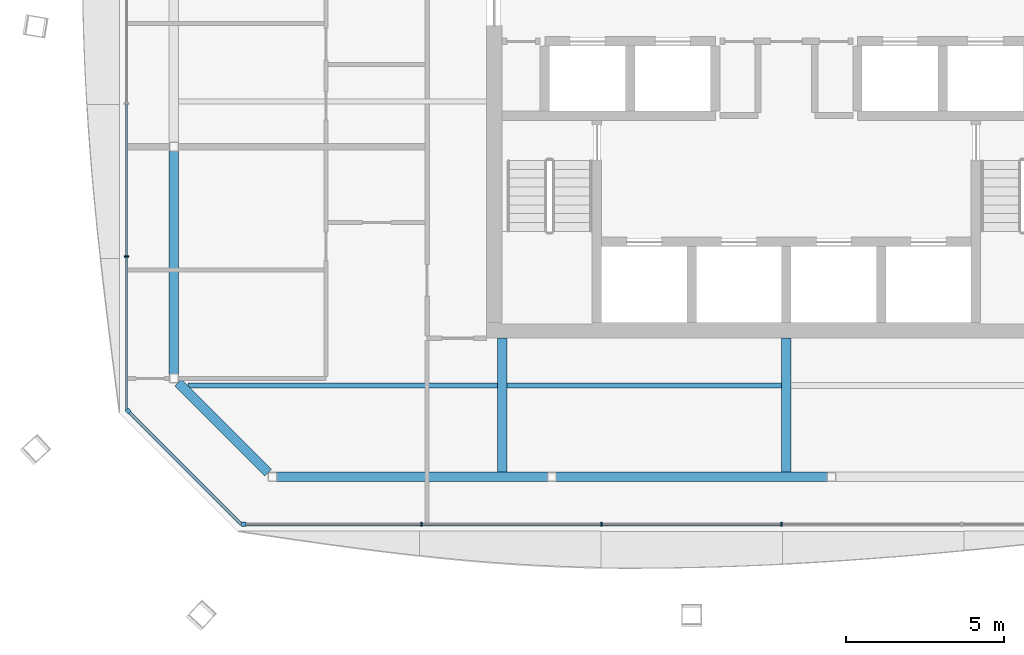
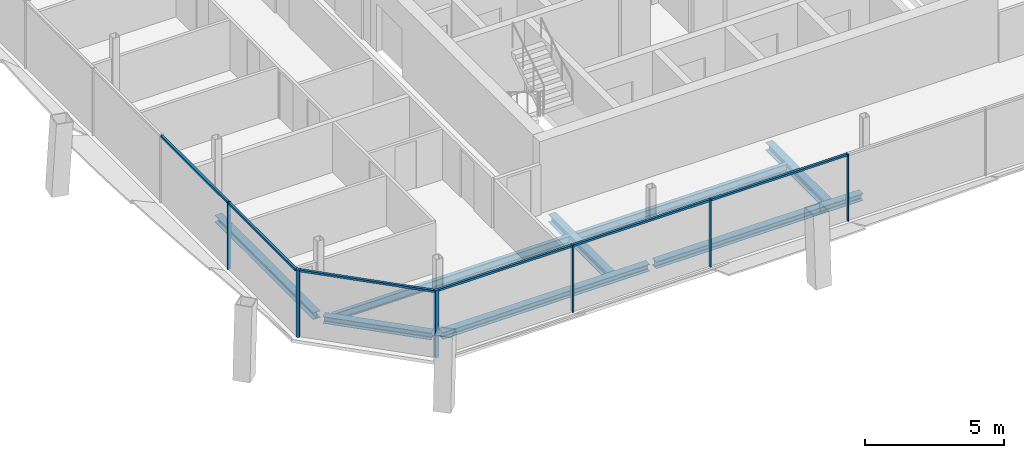
# One storey, part 3 of 15: 12 members, 8 beams, 3 elements without a shape of their own.
"""IFC4 building model written with IfcOpenShell, lengths in metres."""

from ifc_helpers import new_model, si_unit, direction, frame, origin, origin_2d, place, context, subcontext, project, spatial, rectangle, i_section, extrude, material, material_profile, profile_set, type_object, element, aggregate, save


model = new_model("IFC4")

# Units and contexts
model_context = context("Model", 3, precision=1e-05, world=origin(), true_north=direction((0.0, 1.0)))
body_context = subcontext(model_context, "Body", "Model", "MODEL_VIEW")
ifc_project = project(units=[si_unit("LENGTHUNIT", "METRE"), si_unit("AREAUNIT", "SQUARE_METRE"), si_unit("VOLUMEUNIT", "CUBIC_METRE"), si_unit("PLANEANGLEUNIT", "RADIAN"), si_unit("MASSUNIT", "GRAM", prefix="KILO")], contexts=[model_context])

# Site, building, storey
site_placement = place(None, origin())
site = spatial("IfcSite", under=ifc_project, at=site_placement, CompositionType="ELEMENT")
building_placement = place(site_placement, origin())
building = spatial("IfcBuilding", under=site, at=building_placement, Name="Tskaro Facet Tower", CompositionType="ELEMENT")
storey_placement = place(building_placement, frame((0.0, 0.0, 239.25)))
storey = spatial("IfcBuildingStorey", under=building, at=storey_placement, Name="L62", CompositionType="ELEMENT", Elevation=239.25)

# Curtain wall, member
ifc_material_1 = material(Name="Bronze anodised aluminium 6063-T6", Category="aluminium")
curtain_wall_type = type_object("IfcCurtainWallType", Name="Bronze residence curtain wall (FW3)", PredefinedType="NOTDEFINED", material=ifc_material_1)
curtain_wall_1_placement = place(storey_placement, origin())
curtain_wall_1 = element("IfcCurtainWall", 1, at=curtain_wall_1_placement, inside=storey, type_object=curtain_wall_type, Name="FW3 south facet L62", PredefinedType="NOTDEFINED")
ifc_material_profile_1 = material_profile(ifc_material_1, rectangle(XDim=0.139892578125, YDim=0.139892578125, at=origin_2d()), Name="Corner post 140x140")
ifc_profile_set_1 = profile_set([ifc_material_profile_1], Name="Bronze anodised aluminium 6063-T6")
member_type_1 = type_object("IfcMemberType", Name="FW3 bronze corner post 140x140", PredefinedType="MULLION", material=ifc_profile_set_1)
member_1_placement = place(storey_placement, frame((-17.18310546875, -17.888916015625, 0.0), z_axis=(0.0, 0.0, 1.0), x_axis=(1.0, 0.0, 0.0)))
member_1 = element("IfcMember", 2, at=member_1_placement, type_object=member_type_1, Name="FW3 south corner post", PredefinedType="MULLION", context=body_context, shape_type="SweptSolid", body=[
    extrude(rectangle(XDim=0.139892578125, YDim=0.139892578125, at=origin_2d()), origin(), (0.0, 0.0, 1.0), 2.949951171875),
])

curtain_wall_2_placement = place(storey_placement, origin())
curtain_wall_2 = element("IfcCurtainWall", 3, at=curtain_wall_2_placement, inside=storey, type_object=curtain_wall_type, Name="FW3 south-west facet L62", PredefinedType="NOTDEFINED")
member_2_placement = place(storey_placement, frame((-20.839599609375, -14.302490234375, 0.0), z_axis=(0.0, 0.0, 1.0), x_axis=(0.707106781187, -0.707106781187, 0.0)))
member_2 = element("IfcMember", 4, at=member_2_placement, type_object=member_type_1, Name="FW3 south-west corner post", PredefinedType="MULLION", context=body_context, shape_type="SweptSolid", body=[
    extrude(rectangle(XDim=0.139892578125, YDim=0.139892578125, at=origin_2d()), origin(), (0.0, 0.0, 1.0), 2.949951171875),
])

# Member
ifc_material_profile_2 = material_profile(ifc_material_1, rectangle(XDim=0.050048828125, YDim=0.139892578125, at=origin_2d()), Name="Mullion 50x140")
ifc_profile_set_2 = profile_set([ifc_material_profile_2], Name="Bronze anodised aluminium 6063-T6")
member_type_2 = type_object("IfcMemberType", Name="FW3 bronze mullion 50x140", PredefinedType="MULLION", material=ifc_profile_set_2)
member_3_placement = place(storey_placement, frame((-11.5517578125, -17.888916015625, 0.0), z_axis=(0.0, 0.0, 1.0), x_axis=(1.0, 0.0, 0.0)))
member_3 = element("IfcMember", 5, at=member_3_placement, type_object=member_type_2, Name="FW3 south mullion 1", PredefinedType="MULLION", context=body_context, shape_type="SweptSolid", body=[
    extrude(rectangle(XDim=0.050048828125, YDim=0.139892578125, at=origin_2d()), origin(), (0.0, 0.0, 1.0), 2.949951171875),
])

member_4_placement = place(storey_placement, frame((-5.8505859375, -17.888916015625, 0.0), z_axis=(0.0, 0.0, 1.0), x_axis=(1.0, 0.0, 0.0)))
member_4 = element("IfcMember", 6, at=member_4_placement, type_object=member_type_2, Name="FW3 south mullion 2", PredefinedType="MULLION", context=body_context, shape_type="SweptSolid", body=[
    extrude(rectangle(XDim=0.050048828125, YDim=0.139892578125, at=origin_2d()), origin(), (0.0, 0.0, 1.0), 2.949951171875),
])

member_5_placement = place(storey_placement, frame((-0.1494140625, -17.888916015625, 0.0), z_axis=(0.0, 0.0, 1.0), x_axis=(1.0, 0.0, 0.0)))
member_5 = element("IfcMember", 7, at=member_5_placement, type_object=member_type_2, Name="FW3 south mullion 3", PredefinedType="MULLION", context=body_context, shape_type="SweptSolid", body=[
    extrude(rectangle(XDim=0.050048828125, YDim=0.139892578125, at=origin_2d()), origin(), (0.0, 0.0, 1.0), 2.949951171875),
])

# Curtain wall, member
curtain_wall_3_placement = place(storey_placement, origin())
curtain_wall_3 = element("IfcCurtainWall", 8, at=curtain_wall_3_placement, inside=storey, type_object=curtain_wall_type, Name="FW3 west facet L62", PredefinedType="NOTDEFINED")
member_6_placement = place(storey_placement, frame((-20.888916015625, -9.412841796875, 0.0), z_axis=(0.0, 0.0, 1.0), x_axis=(0.0, -1.0, 0.0)))
member_6 = element("IfcMember", 9, at=member_6_placement, type_object=member_type_2, Name="FW3 west mullion 4", PredefinedType="MULLION", context=body_context, shape_type="SweptSolid", body=[
    extrude(rectangle(XDim=0.050048828125, YDim=0.139892578125, at=origin_2d()), origin(), (0.0, 0.0, 1.0), 2.949951171875),
])

# Member
ifc_material_profile_3 = material_profile(ifc_material_1, rectangle(XDim=0.10009765625, YDim=0.090087890625, at=origin_2d()), Name="Transom 100x90")
ifc_profile_set_3 = profile_set([ifc_material_profile_3], Name="Bronze anodised aluminium 6063-T6")
member_type_3 = type_object("IfcMemberType", Name="FW3 bronze transom 100x90", PredefinedType="USERDEFINED", material=ifc_profile_set_3)
member_7_placement = place(storey_placement, frame((-17.113037109375, -17.888916015625, 2.905029296875), z_axis=(1.0, 0.0, 0.0), x_axis=(0.0, 1.0, 0.0)))
member_7 = element("IfcMember", 10, at=member_7_placement, type_object=member_type_3, Name="FW3 south transom 1.1", ObjectType="TRANSOM", PredefinedType="USERDEFINED", context=body_context, shape_type="SweptSolid", body=[
    extrude(rectangle(XDim=0.10009765625, YDim=0.090087890625, at=origin_2d()), origin(), (0.0, 0.0, 1.0), 5.5361328125),
])

member_8_placement = place(storey_placement, frame((-11.52685546875, -17.888916015625, 2.905029296875), z_axis=(1.0, 0.0, 0.0), x_axis=(0.0, 1.0, 0.0)))
member_8 = element("IfcMember", 11, at=member_8_placement, type_object=member_type_3, Name="FW3 south transom 2.1", ObjectType="TRANSOM", PredefinedType="USERDEFINED", context=body_context, shape_type="SweptSolid", body=[
    extrude(rectangle(XDim=0.10009765625, YDim=0.090087890625, at=origin_2d()), origin(), (0.0, 0.0, 1.0), 5.6513671875),
])

member_9_placement = place(storey_placement, frame((-5.82568359375, -17.888916015625, 2.905029296875), z_axis=(1.0, 0.0, 0.0), x_axis=(0.0, 1.0, 0.0)))
member_9 = element("IfcMember", 12, at=member_9_placement, type_object=member_type_3, Name="FW3 south transom 3.1", ObjectType="TRANSOM", PredefinedType="USERDEFINED", context=body_context, shape_type="SweptSolid", body=[
    extrude(rectangle(XDim=0.10009765625, YDim=0.090087890625, at=origin_2d()), origin(), (0.0, 0.0, 1.0), 5.6513671875),
])

aggregate(curtain_wall_1, [member_1, member_3, member_4, member_5, member_7, member_8, member_9])

member_10_placement = place(storey_placement, frame((-20.888916015625, -4.59765625, 2.905029296875), z_axis=(0.0, -1.0, 0.0), x_axis=(1.0, 0.0, 0.0)))
member_10 = element("IfcMember", 13, at=member_10_placement, type_object=member_type_3, Name="FW3 west transom 4.1", ObjectType="TRANSOM", PredefinedType="USERDEFINED", context=body_context, shape_type="SweptSolid", body=[
    extrude(rectangle(XDim=0.10009765625, YDim=0.090087890625, at=origin_2d()), origin(), (0.0, 0.0, 1.0), 4.7900390625),
])

member_11_placement = place(storey_placement, frame((-20.888916015625, -9.437744140625, 2.905029296875), z_axis=(0.0, -1.0, 0.0), x_axis=(1.0, 0.0, 0.0)))
member_11 = element("IfcMember", 14, at=member_11_placement, type_object=member_type_3, Name="FW3 west transom 5.1", ObjectType="TRANSOM", PredefinedType="USERDEFINED", context=body_context, shape_type="SweptSolid", body=[
    extrude(rectangle(XDim=0.10009765625, YDim=0.090087890625, at=origin_2d()), origin(), (0.0, 0.0, 1.0), 4.815185546875),
])

aggregate(curtain_wall_3, [member_6, member_10, member_11])

member_12_placement = place(storey_placement, frame((-20.7900390625, -14.35205078125, 2.905029296875), z_axis=(0.707131184796, -0.707082376735, 0.0), x_axis=(0.707082376735, 0.707131184796, 0.0)))
member_12 = element("IfcMember", 15, at=member_12_placement, type_object=member_type_3, Name="FW3 south-west transom 1.1", ObjectType="TRANSOM", PredefinedType="USERDEFINED", context=body_context, shape_type="SweptSolid", body=[
    extrude(rectangle(XDim=0.10009765625, YDim=0.090087890625, at=origin_2d()), origin(), (0.0, 0.0, 1.0), 5.001953125),
])

aggregate(curtain_wall_2, [member_2, member_12])

# Beams
ifc_material_2 = material(Name="Steel S355J2", Category="steel")
ifc_material_profile_4 = material_profile(ifc_material_2, i_section(OverallWidth=0.300048828125, OverallDepth=0.300048828125, WebThickness=0.010986328125, FlangeThickness=0.01904296875, FilletRadius=0.027099609375, at=origin_2d()), Name="HE 300 B")
ifc_profile_set_4 = profile_set([ifc_material_profile_4], Name="Steel S355J2")
beam_type_1 = type_object("IfcBeamType", Name="HE 300 B ring beam", PredefinedType="BEAM", material=ifc_profile_set_4)
beam_1_placement = place(storey_placement, frame((-16.137939453125, -16.39111328125, -0.2900390625), z_axis=(1.0, 0.0, 0.0), x_axis=(0.0, 1.0, 0.0)))
element("IfcBeam", 16, at=beam_1_placement, inside=storey, type_object=beam_type_1, Name="HE 300 B EB1-5", PredefinedType="BEAM", context=body_context, shape_type="SweptSolid", body=[
    extrude(i_section(OverallWidth=0.300048828125, OverallDepth=0.300048828125, WebThickness=0.010986328125, FlangeThickness=0.01904296875, FilletRadius=0.027099609375, at=origin_2d()), origin(), (0.0, 0.0, 1.0), 8.5849609375),
])
beam_2_placement = place(storey_placement, frame((-7.29296875, -16.39111328125, -0.2900390625), z_axis=(1.0, 0.0, 0.0), x_axis=(0.0, 1.0, 0.0)))
element("IfcBeam", 17, at=beam_2_placement, inside=storey, type_object=beam_type_1, Name="HE 300 B EB2-5", PredefinedType="BEAM", context=body_context, shape_type="SweptSolid", body=[
    extrude(i_section(OverallWidth=0.300048828125, OverallDepth=0.300048828125, WebThickness=0.010986328125, FlangeThickness=0.01904296875, FilletRadius=0.027099609375, at=origin_2d()), origin(), (0.0, 0.0, 1.0), 8.5859375),
])
beam_3_placement = place(storey_placement, frame((-19.39111328125, -6.06689453125, -0.2900390625), z_axis=(0.0, -1.0, 0.0), x_axis=(1.0, 0.0, 0.0)))
element("IfcBeam", 18, at=beam_3_placement, inside=storey, type_object=beam_type_1, Name="HE 300 B EB16-5", PredefinedType="BEAM", context=body_context, shape_type="SweptSolid", body=[
    extrude(i_section(OverallWidth=0.300048828125, OverallDepth=0.300048828125, WebThickness=0.010986328125, FlangeThickness=0.01904296875, FilletRadius=0.027099609375, at=origin_2d()), origin(), (0.0, 0.0, 1.0), 7.071044921875),
])
beam_4_placement = place(storey_placement, frame((-19.255126953125, -13.40380859375, -0.2900390625), z_axis=(0.707106781187, -0.707106781187, 0.0), x_axis=(0.707106781187, 0.707106781187, 0.0)))
element("IfcBeam", 19, at=beam_4_placement, inside=storey, type_object=beam_type_1, Name="HE 300 B EB17-5", PredefinedType="BEAM", context=body_context, shape_type="SweptSolid", body=[
    extrude(i_section(OverallWidth=0.300048828125, OverallDepth=0.300048828125, WebThickness=0.010986328125, FlangeThickness=0.01904296875, FilletRadius=0.027099609375, at=origin_2d()), origin(), (0.0, 0.0, 1.0), 4.032470703125),
])
ifc_material_profile_5 = material_profile(ifc_material_2, i_section(OverallWidth=0.300048828125, OverallDepth=0.35009765625, WebThickness=0.010009765625, FlangeThickness=0.017578125, FilletRadius=0.027099609375, at=origin_2d()), Name="HE 360 A")
ifc_profile_set_5 = profile_set([ifc_material_profile_5], Name="Steel S355J2")
beam_type_2 = type_object("IfcBeamType", Name="HE 360 A girder", PredefinedType="BEAM", material=ifc_profile_set_5)
for number, where, z_axis, x_axis, name in (
    (20, (-9.0, -16.240966796875, -0.31494140625), (0.0, 1.0, 0.0), (-1.0, 0.0, 0.0), "HE 360 A GB3-1-5"),
    (21, (0.0, -16.240966796875, -0.31494140625), (0.0, 1.0, 0.0), (-1.0, 0.0, 0.0), "HE 360 A GB4-1-5"),
):
    element("IfcBeam", number, at=place(storey_placement, frame(where, z_axis=z_axis, x_axis=x_axis)), inside=storey, type_object=beam_type_2, Name=name, PredefinedType="BEAM", context=body_context, shape_type="SweptSolid", body=[
        extrude(i_section(OverallWidth=0.300048828125, OverallDepth=0.35009765625, WebThickness=0.010009765625, FlangeThickness=0.017578125, FilletRadius=0.027099609375, at=origin_2d()), origin(), (0.0, 0.0, 1.0), 4.240966796875),
    ])
ifc_material_profile_6 = material_profile(ifc_material_2, i_section(OverallWidth=0.159912109375, OverallDepth=0.330078125, WebThickness=0.007568359375, FlangeThickness=0.011474609375, FilletRadius=0.01806640625, at=origin_2d()), Name="IPE 330")
ifc_profile_set_6 = profile_set([ifc_material_profile_6], Name="Steel S355J2")
beam_type_3 = type_object("IfcBeamType", Name="IPE 330 secondary beam", PredefinedType="BEAM", material=ifc_profile_set_6)
beam_5_placement = place(storey_placement, frame((-18.947021484375, -13.5, -0.304931640625), z_axis=(1.0, 0.0, 0.0), x_axis=(0.0, 1.0, 0.0)))
element("IfcBeam", 22, at=beam_5_placement, inside=storey, type_object=beam_type_3, Name="IPE 330 SB2a-1-5", PredefinedType="BEAM", context=body_context, shape_type="SweptSolid", body=[
    extrude(i_section(OverallWidth=0.159912109375, OverallDepth=0.330078125, WebThickness=0.007568359375, FlangeThickness=0.011474609375, FilletRadius=0.01806640625, at=origin_2d()), origin(), (0.0, 0.0, 1.0), 9.797119140625),
])
beam_6_placement = place(storey_placement, frame((-8.85009765625, -13.5, -0.304931640625), z_axis=(1.0, 0.0, 0.0), x_axis=(0.0, 1.0, 0.0)))
element("IfcBeam", 23, at=beam_6_placement, inside=storey, type_object=beam_type_3, Name="IPE 330 SB2a-2-5", PredefinedType="BEAM", context=body_context, shape_type="SweptSolid", body=[
    extrude(i_section(OverallWidth=0.159912109375, OverallDepth=0.330078125, WebThickness=0.007568359375, FlangeThickness=0.011474609375, FilletRadius=0.01806640625, at=origin_2d()), origin(), (0.0, 0.0, 1.0), 8.7001953125),
])

save(model, "model.ifc")
